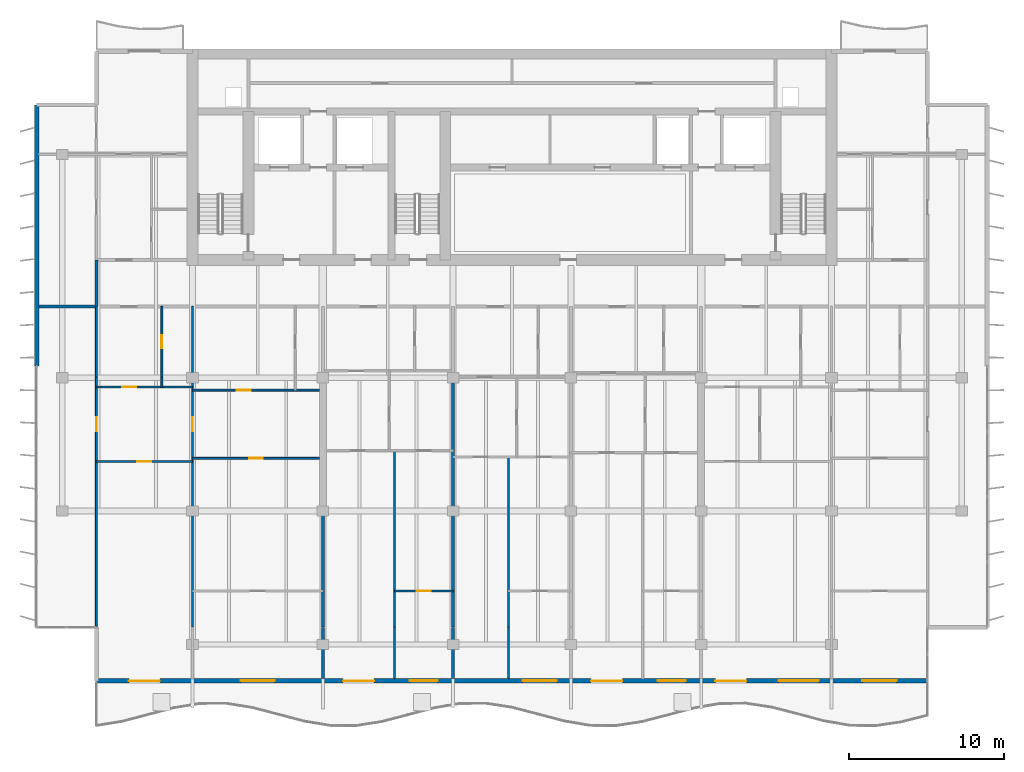
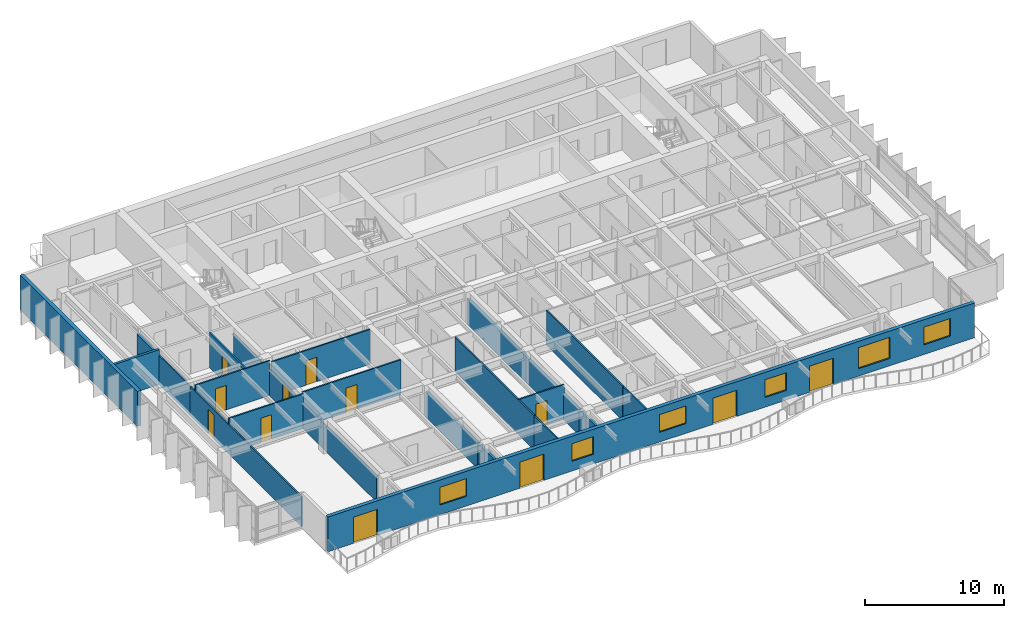
# One storey, part 6 of 17: 23 walls, 12 doors, 6 windows, 18 openings.
"""IFC4 building model written with IfcOpenShell, lengths in metres."""

import ifcopenshell
import ifcopenshell.guid

model = None  # the IFC model being written
_history = None  # IfcOwnerHistory: only IFC2X3 demands one
_inside = {}  # id of a spatial element -> (the spatial element, [elements in it])
_under = {}  # id of a project, library or spatial element -> (it, [spatial elements below it])
_declared = {}  # id of a project -> (the project, [libraries it declares])
_typed = {}  # id of a type object -> (the type object, [elements of that type])
_made_of = {}  # id of a material, layer set ... -> (it, [elements and type objects made of it])


def new_model(schema):
    """Start an empty IFC model of exactly this schema.

    Asked for "IFC4X3", IfcOpenShell would pick the latest addendum, in which some entities
    have other attributes; the version numbers below select the first issue.
    IFC2X3 requires an IfcOwnerHistory on every rooted entity: one is made here for all.
    """
    global model, _history
    if schema == "IFC4X3":
        model = ifcopenshell.file(schema_version=(4, 3, 0, 0))
    else:
        model = ifcopenshell.file(schema=schema)
    _inside.clear()
    _under.clear()
    _declared.clear()
    _typed.clear()
    _made_of.clear()
    _history = None
    if model.schema == "IFC2X3":
        org = make("IfcOrganization", Name="unknown")
        user = make(
            "IfcPersonAndOrganization",
            ThePerson=make("IfcPerson", FamilyName="unknown"),
            TheOrganization=org,
        )
        app = make(
            "IfcApplication",
            ApplicationDeveloper=org,
            Version="unknown",
            ApplicationFullName="unknown",
            ApplicationIdentifier="unknown",
        )
        _history = make(
            "IfcOwnerHistory",
            OwningUser=user,
            OwningApplication=app,
            ChangeAction="ADDED",
            CreationDate=0,
        )
    return model


def make(cls, **values):
    """One entity of the class cls with the attributes given. An attribute that is None is left unset."""
    return model.create_entity(
        cls, **{name: value for name, value in values.items() if value is not None}
    )


def rooted(cls, **values):
    """An entity with a GlobalId (a new one), such as an element, a storey or a relation."""
    return make(cls, GlobalId=ifcopenshell.guid.new(), OwnerHistory=_history, **values)


def si_unit(unit_type, name, prefix=None):
    """IfcSIUnit, for example si_unit("LENGTHUNIT", "METRE", prefix="MILLI")."""
    return make("IfcSIUnit", UnitType=unit_type, Prefix=prefix, Name=name)


def assignment(units):
    """IfcUnitAssignment: the units of a project."""
    return None if units is None else make("IfcUnitAssignment", Units=units)


def point(xyz):
    """IfcCartesianPoint."""
    return None if xyz is None else make("IfcCartesianPoint", Coordinates=xyz)


def direction(xyz):
    """IfcDirection."""
    return None if xyz is None else make("IfcDirection", DirectionRatios=xyz)


def frame(location, z_axis=None, x_axis=None):
    """IfcAxis2Placement3D, a coordinate frame: its origin and axes. An axis left out is left unset."""
    return make(
        "IfcAxis2Placement3D",
        Location=point(location),
        Axis=direction(z_axis),
        RefDirection=direction(x_axis),
    )


def frame_2d(location, x_axis=None):
    """IfcAxis2Placement2D, a coordinate frame in the plane: its origin and x axis."""
    return make(
        "IfcAxis2Placement2D", Location=point(location), RefDirection=direction(x_axis)
    )


def origin():
    """The frame at (0, 0, 0) with its axes left unset."""
    return frame((0.0, 0.0, 0.0))


def place(relative_to, where):
    """IfcLocalPlacement: puts the frame where relative to a parent placement (None: the world)."""
    return make(
        "IfcLocalPlacement", PlacementRelTo=relative_to, RelativePlacement=where
    )


def context(
    kind, dimensions, precision=None, world=None, true_north=None, identifier=None
):
    """IfcGeometricRepresentationContext, for example the 3D "Model" context."""
    return make(
        "IfcGeometricRepresentationContext",
        ContextIdentifier=identifier,
        ContextType=kind,
        CoordinateSpaceDimension=dimensions,
        Precision=precision,
        WorldCoordinateSystem=world,
        TrueNorth=true_north,
    )


def subcontext(parent, identifier, kind, view, scale=None):
    """IfcGeometricRepresentationSubContext, for example "Body" below "Model"."""
    return make(
        "IfcGeometricRepresentationSubContext",
        ContextIdentifier=identifier,
        ContextType=kind,
        ParentContext=parent,
        TargetScale=scale,
        TargetView=view,
    )


def project(units=None, contexts=None):
    """IfcProject with its units and contexts."""
    return rooted(
        "IfcProject",
        Name="project",
        RepresentationContexts=contexts,
        UnitsInContext=assignment(units),
    )


def spatial(cls, under=None, at=None, **own):
    """A site, building, storey or space (cls), placed at a placement, below another one or the project."""
    s = rooted(cls, ObjectPlacement=at, **own)
    if under is not None:
        _under.setdefault(under.id(), (under, []))[1].append(s)
    return s


def profile(cls, at=None, kind="AREA", **sizes):
    """A parametric profile (cls). Its sizes go by their IFC names, for example OverallWidth=200.0."""
    return make(cls, ProfileType=kind, Position=at, **sizes)


def rectangle(**sizes):
    """IfcRectangleProfileDef."""
    return profile("IfcRectangleProfileDef", **sizes)


def extrude(swept, where, along, depth):
    """IfcExtrudedAreaSolid: the profile swept, set in the frame where, extruded along a direction by depth."""
    return make(
        "IfcExtrudedAreaSolid",
        SweptArea=swept,
        Position=where,
        ExtrudedDirection=direction(along),
        Depth=depth,
    )


def shape(context_of_items, identifier, shape_type, items):
    """IfcShapeRepresentation: the items that make up one representation, for example the "Body"."""
    return make(
        "IfcShapeRepresentation",
        ContextOfItems=context_of_items,
        RepresentationIdentifier=identifier,
        RepresentationType=shape_type,
        Items=items,
    )


def material(Name=None, Category=None):
    """IfcMaterial."""
    return make("IfcMaterial", Name=Name, Category=Category)


def layer(
    of_material, thickness, ventilated=None, Name=None, Category=None, Priority=None
):
    """IfcMaterialLayer: one layer of a wall or slab, of a material (None: an air gap)."""
    return make(
        "IfcMaterialLayer",
        Material=of_material,
        LayerThickness=thickness,
        IsVentilated=ventilated,
        Name=Name,
        Category=Category,
        Priority=Priority,
    )


def layer_set(layers, Name=None):
    """IfcMaterialLayerSet."""
    return make("IfcMaterialLayerSet", MaterialLayers=layers, LayerSetName=Name)


def made_of(thing, what):
    """Note that an element or type object is made of a material, layer set ...; save() writes the relation."""
    if what is not None:
        _made_of.setdefault(what.id(), (what, []))[1].append(thing)
    return thing


def type_object(cls, material=None, **own):
    """A type object (cls), such as IfcWallType, which elements share."""
    return made_of(rooted(cls, **own), material)


def element(
    cls,
    number,
    at=None,
    inside=None,
    cuts=None,
    type_object=None,
    material=None,
    context=None,
    identifier="Body",
    shape_type=None,
    held_by="IfcProductDefinitionShape",
    body=None,
    shapes=None,
    **own,
):
    """One element of the class cls, such as IfcWall. Its Tag is "e" and its number.

    at: its placement. inside: the storey or other place that contains it. cuts: it is an
    opening in that element (IfcRelVoidsElement). A single representation is given by context,
    identifier, shape_type and body (its items); several are given by shapes. held_by: the class
    of the entity that holds the representations. save() writes the other relations.
    """
    e = rooted(cls, Tag="e%d" % number, ObjectPlacement=at, **own)
    if body is not None:
        shapes = [shape(context, identifier, shape_type, body)]
    if shapes is not None:
        e.Representation = make(held_by, Representations=shapes)
    if inside is not None:
        _inside.setdefault(inside.id(), (inside, []))[1].append(e)
    if cuts is not None:
        rooted(
            "IfcRelVoidsElement", RelatingBuildingElement=cuts, RelatedOpeningElement=e
        )
    if type_object is not None:
        _typed.setdefault(type_object.id(), (type_object, []))[1].append(e)
    return made_of(e, material)


def fill(opening, filler):
    """IfcRelFillsElement: the door or window that sits in an opening."""
    return rooted(
        "IfcRelFillsElement",
        RelatingOpeningElement=opening,
        RelatedBuildingElement=filler,
    )


def aggregate(whole, parts):
    """IfcRelAggregates: a whole, such as a stair, and the parts it consists of."""
    return rooted("IfcRelAggregates", RelatingObject=whole, RelatedObjects=parts)


def save(model, path):
    """Write the relations noted so far, then the file.

    IfcRelAggregates (storeys below a building ...), IfcRelContainedInSpatialStructure (elements
    in a storey), IfcRelDefinesByType, IfcRelAssociatesMaterial and IfcRelDeclares: one each for
    every whole, place, type object, material and project.
    """
    for whole, parts in _under.values():
        aggregate(whole, parts)
    for where, things in _inside.values():
        rooted(
            "IfcRelContainedInSpatialStructure",
            RelatedElements=things,
            RelatingStructure=where,
        )
    for kind, things in _typed.values():
        rooted("IfcRelDefinesByType", RelatedObjects=things, RelatingType=kind)
    for what, things in _made_of.values():
        rooted("IfcRelAssociatesMaterial", RelatedObjects=things, RelatingMaterial=what)
    for by, libraries in _declared.values():
        rooted("IfcRelDeclares", RelatingContext=by, RelatedDefinitions=libraries)
    model.write(path)


model = new_model("IFC4")

# Units and contexts
model_context = context("Model", 3, precision=1e-05, world=origin(), true_north=direction((0.0, 1.0)))
body_context = subcontext(model_context, "Body", "Model", "MODEL_VIEW")
ifc_project = project(units=[si_unit("LENGTHUNIT", "METRE"), si_unit("AREAUNIT", "SQUARE_METRE"), si_unit("VOLUMEUNIT", "CUBIC_METRE"), si_unit("PLANEANGLEUNIT", "RADIAN"), si_unit("MASSUNIT", "GRAM", prefix="KILO")], contexts=[model_context])

# Site, building, storey
site_placement = place(None, origin())
site = spatial("IfcSite", under=ifc_project, at=site_placement, CompositionType="ELEMENT")
building_placement = place(site_placement, origin())
building = spatial("IfcBuilding", under=site, at=building_placement, Name="Caelmar Bay Residences", CompositionType="ELEMENT")
storey_placement = place(building_placement, frame((0.0, 0.0, 236.39990234375)))
storey = spatial("IfcBuildingStorey", under=building, at=storey_placement, Name="L66", CompositionType="ELEMENT", Elevation=236.39990234375)

# Wall
ifc_material_1 = material(Name="Double-stud acoustic fire-rated gypsum partition 180 mm")
ifc_layer_1 = layer(ifc_material_1, 0.179931640625)
ifc_layer_set_1 = layer_set([ifc_layer_1], Name="Double-stud acoustic fire-rated gypsum partition 180 mm")
wall_type_1 = type_object("IfcWallType", Name="W-COR-200", PredefinedType="PARTITIONING", material=ifc_layer_set_1)
wall_1_placement = place(storey_placement, frame((12.10009765625, 34.0048828125, 0.0), z_axis=(0.0, 0.0, 1.0), x_axis=(0.0, 1.0, 0.0)))
element("IfcWall", 1, at=wall_1_placement, inside=storey, type_object=wall_type_1, Name="L66 Partition Wall V003", PredefinedType="PARTITIONING", context=body_context, shape_type="SweptSolid", body=[
    extrude(rectangle(XDim=2.9951171875, YDim=0.179931640625, at=frame_2d((1.49755859375, 0.0))), origin(), (0.0, 0.0, 1.0), 2.578125),
])

# Wall, openings, doors, windows
ifc_material_2 = material(Name="Precast concrete f'c 40 MPa (6,000 psi)", Category="concrete")
ifc_layer_2 = layer(ifc_material_2, 0.300048828125)
ifc_layer_set_2 = layer_set([ifc_layer_2], Name="Precast concrete f'c 40 MPa (6,000 psi)")
wall_type_2 = type_object("IfcWallType", Name="W-EXT-300", PredefinedType="STANDARD", material=ifc_layer_set_2)
wall_2_placement = place(storey_placement, frame((65.699951171875, 9.85009765625, 0.0), z_axis=(0.0, 0.0, 1.0), x_axis=(-1.0, 0.0, 0.0)))
wall_2 = element("IfcWall", 2, at=wall_2_placement, inside=storey, type_object=wall_type_2, Name="L66 South Bayfront Exterior Wall", PredefinedType="STANDARD", context=body_context, shape_type="SweptSolid", body=[
    extrude(rectangle(XDim=53.599853515625, YDim=0.300048828125, at=frame_2d((26.7998046875, 0.0))), origin(), (0.0, 0.0, 1.0), 3.050048828125),
])
opening_1_placement = place(wall_2_placement, frame((49.5, 0.0, 0.0)))
opening_1 = element("IfcOpeningElement", 3, at=opening_1_placement, cuts=wall_2, Name="Opening L66-BD01", PredefinedType="OPENING", context=body_context, shape_type="SweptSolid", body=[
    extrude(rectangle(XDim=2.0, YDim=2.300048828125, at=frame_2d((1.0, 1.14990234375))), frame((0.0, 0.159912109375, 0.0), z_axis=(0.0, -1.0, 0.0), x_axis=(1.0, 0.0, 0.0)), (0.0, 0.0, 1.0), 0.320068359375),
])
opening_2_placement = place(wall_2_placement, frame((42.10009765625, 0.0, 0.85009765625)))
opening_2 = element("IfcOpeningElement", 4, at=opening_2_placement, cuts=wall_2, Name="Opening WN2", PredefinedType="OPENING", context=body_context, shape_type="SweptSolid", body=[
    extrude(rectangle(XDim=2.199951171875, YDim=1.550048828125, at=frame_2d((1.10009765625, 0.77490234375))), frame((0.0, 0.159912109375, 0.0), z_axis=(0.0, -1.0, 0.0), x_axis=(1.0, 0.0, 0.0)), (0.0, 0.0, 1.0), 0.320068359375),
])
opening_3_placement = place(wall_2_placement, frame((35.68994140625, 0.0, 0.0)))
opening_3 = element("IfcOpeningElement", 5, at=opening_3_placement, cuts=wall_2, Name="Opening L66-BD02", PredefinedType="OPENING", context=body_context, shape_type="SweptSolid", body=[
    extrude(rectangle(XDim=2.0, YDim=2.300048828125, at=frame_2d((1.0, 1.14990234375))), frame((0.0, 0.159912109375, 0.0), z_axis=(0.0, -1.0, 0.0), x_axis=(1.0, 0.0, 0.0)), (0.0, 0.0, 1.0), 0.320068359375),
])
opening_4_placement = place(wall_2_placement, frame((31.590087890625, 0.0, 0.85009765625)))
opening_4 = element("IfcOpeningElement", 6, at=opening_4_placement, cuts=wall_2, Name="Opening WN1", PredefinedType="OPENING", context=body_context, shape_type="SweptSolid", body=[
    extrude(rectangle(XDim=1.800048828125, YDim=1.550048828125, at=frame_2d((0.89990234375, 0.77490234375))), frame((0.0, 0.159912109375, 0.0), z_axis=(0.0, -1.0, 0.0), x_axis=(1.0, 0.0, 0.0)), (0.0, 0.0, 1.0), 0.320068359375),
])
opening_5_placement = place(wall_2_placement, frame((23.9140625, 0.0, 0.85009765625)))
opening_5 = element("IfcOpeningElement", 7, at=opening_5_placement, cuts=wall_2, Name="Opening WN2", PredefinedType="OPENING", context=body_context, shape_type="SweptSolid", body=[
    extrude(rectangle(XDim=2.199951171875, YDim=1.550048828125, at=frame_2d((1.10009765625, 0.77490234375))), frame((0.0, 0.159912109375, 0.0), z_axis=(0.0, -1.0, 0.0), x_axis=(1.0, 0.0, 0.0)), (0.0, 0.0, 1.0), 0.320068359375),
])
opening_6_placement = place(wall_2_placement, frame((19.68994140625, 0.0, 0.0)))
opening_6 = element("IfcOpeningElement", 8, at=opening_6_placement, cuts=wall_2, Name="Opening L66-BD03", PredefinedType="OPENING", context=body_context, shape_type="SweptSolid", body=[
    extrude(rectangle(XDim=2.0, YDim=2.300048828125, at=frame_2d((1.0, 1.14990234375))), frame((0.0, 0.159912109375, 0.0), z_axis=(0.0, -1.0, 0.0), x_axis=(1.0, 0.0, 0.0)), (0.0, 0.0, 1.0), 0.320068359375),
])
opening_7_placement = place(wall_2_placement, frame((15.590087890625, 0.0, 0.85009765625)))
opening_7 = element("IfcOpeningElement", 9, at=opening_7_placement, cuts=wall_2, Name="Opening WN1", PredefinedType="OPENING", context=body_context, shape_type="SweptSolid", body=[
    extrude(rectangle(XDim=1.800048828125, YDim=1.550048828125, at=frame_2d((0.89990234375, 0.77490234375))), frame((0.0, 0.159912109375, 0.0), z_axis=(0.0, -1.0, 0.0), x_axis=(1.0, 0.0, 0.0)), (0.0, 0.0, 1.0), 0.320068359375),
])
opening_8_placement = place(wall_2_placement, frame((11.68994140625, 0.0, 0.0)))
opening_8 = element("IfcOpeningElement", 10, at=opening_8_placement, cuts=wall_2, Name="Opening L66-BD04", PredefinedType="OPENING", context=body_context, shape_type="SweptSolid", body=[
    extrude(rectangle(XDim=2.0, YDim=2.300048828125, at=frame_2d((1.0, 1.14990234375))), frame((0.0, 0.159912109375, 0.0), z_axis=(0.0, -1.0, 0.0), x_axis=(1.0, 0.0, 0.0)), (0.0, 0.0, 1.0), 0.320068359375),
])
opening_9_placement = place(wall_2_placement, frame((7.010009765625, 0.0, 0.64990234375)))
opening_9 = element("IfcOpeningElement", 11, at=opening_9_placement, cuts=wall_2, Name="Opening WN3", PredefinedType="OPENING", context=body_context, shape_type="SweptSolid", body=[
    extrude(rectangle(XDim=2.60009765625, YDim=1.85009765625, at=frame_2d((1.300048828125, 0.925048828125))), frame((0.0, 0.159912109375, 0.0), z_axis=(0.0, -1.0, 0.0), x_axis=(1.0, 0.0, 0.0)), (0.0, 0.0, 1.0), 0.320068359375),
])
opening_10_placement = place(wall_2_placement, frame((2.0, 0.0, 0.85009765625)))
opening_10 = element("IfcOpeningElement", 12, at=opening_10_placement, cuts=wall_2, Name="Opening WN2", PredefinedType="OPENING", context=body_context, shape_type="SweptSolid", body=[
    extrude(rectangle(XDim=2.199951171875, YDim=1.550048828125, at=frame_2d((1.10009765625, 0.77490234375))), frame((0.0, 0.159912109375, 0.0), z_axis=(0.0, -1.0, 0.0), x_axis=(1.0, 0.0, 0.0)), (0.0, 0.0, 1.0), 0.320068359375),
])
ifc_material_3 = material(Name="Anodised bronze thermally broken sliding glass door", Category="glass")
ifc_layer_3 = layer(ifc_material_3, 0.050048828125)
ifc_layer_set_3 = layer_set([ifc_layer_3], Name="Anodised bronze thermally broken sliding glass door")
door_type_1 = type_object("IfcDoorType", Name="D-BAL-2000", OperationType="DOUBLE_DOOR_SLIDING", PredefinedType="DOOR", material=ifc_layer_set_3)
door_1_placement = place(opening_1_placement, origin())
door_1 = element("IfcDoor", 13, at=door_1_placement, inside=storey, type_object=door_type_1, Name="L66 Residence 01 Penthouse Living Salon Balcony Door", OperationType="DOUBLE_DOOR_SLIDING", OverallHeight=2.300048828125, OverallWidth=2.0, PredefinedType="DOOR", context=body_context, shape_type="SweptSolid", body=[
    extrude(rectangle(XDim=2.0, YDim=2.300048828125, at=frame_2d((1.0, 1.14990234375))), frame((0.0, 0.02490234375, 0.0), z_axis=(0.0, -1.0, 0.0), x_axis=(1.0, 0.0, 0.0)), (0.0, 0.0, 1.0), 0.050048828125),
])
fill(opening_1, door_1)
door_2_placement = place(opening_3_placement, origin())
door_2 = element("IfcDoor", 14, at=door_2_placement, inside=storey, type_object=door_type_1, Name="L66 Residence 02 Living Room Balcony Door", OperationType="DOUBLE_DOOR_SLIDING", OverallHeight=2.300048828125, OverallWidth=2.0, PredefinedType="DOOR", context=body_context, shape_type="SweptSolid", body=[
    extrude(rectangle(XDim=2.0, YDim=2.300048828125, at=frame_2d((1.0, 1.14990234375))), frame((0.0, 0.02490234375, 0.0), z_axis=(0.0, -1.0, 0.0), x_axis=(1.0, 0.0, 0.0)), (0.0, 0.0, 1.0), 0.050048828125),
])
fill(opening_3, door_2)
door_3_placement = place(opening_6_placement, origin())
door_3 = element("IfcDoor", 15, at=door_3_placement, inside=storey, type_object=door_type_1, Name="L66 Residence 04 Living Room Balcony Door", OperationType="DOUBLE_DOOR_SLIDING", OverallHeight=2.300048828125, OverallWidth=2.0, PredefinedType="DOOR", context=body_context, shape_type="SweptSolid", body=[
    extrude(rectangle(XDim=2.0, YDim=2.300048828125, at=frame_2d((1.0, 1.14990234375))), frame((0.0, 0.02490234375, 0.0), z_axis=(0.0, -1.0, 0.0), x_axis=(1.0, 0.0, 0.0)), (0.0, 0.0, 1.0), 0.050048828125),
])
fill(opening_6, door_3)
door_4_placement = place(opening_8_placement, origin())
door_4 = element("IfcDoor", 16, at=door_4_placement, inside=storey, type_object=door_type_1, Name="L66 Residence 05 Penthouse Living Salon Balcony Door", OperationType="DOUBLE_DOOR_SLIDING", OverallHeight=2.300048828125, OverallWidth=2.0, PredefinedType="DOOR", context=body_context, shape_type="SweptSolid", body=[
    extrude(rectangle(XDim=2.0, YDim=2.300048828125, at=frame_2d((1.0, 1.14990234375))), frame((0.0, 0.02490234375, 0.0), z_axis=(0.0, -1.0, 0.0), x_axis=(1.0, 0.0, 0.0)), (0.0, 0.0, 1.0), 0.050048828125),
])
fill(opening_8, door_4)
ifc_material_4 = material(Name="Bronze aluminium frame with laminated low-E glass", Category="aluminium")
ifc_layer_4 = layer(ifc_material_4, 0.06005859375)
ifc_layer_set_4 = layer_set([ifc_layer_4], Name="Bronze aluminium frame with laminated low-E glass")
window_type_1 = type_object("IfcWindowType", Name="WIN-BR-1800", PartitioningType="SINGLE_PANEL", PredefinedType="WINDOW", material=ifc_layer_set_4)
window_1_placement = place(opening_4_placement, origin())
window_1 = element("IfcWindow", 17, at=window_1_placement, inside=storey, type_object=window_type_1, Name="L66 Residence 02 Primary Bedroom Window", OverallHeight=1.550048828125, OverallWidth=1.800048828125, PartitioningType="SINGLE_PANEL", PredefinedType="WINDOW", context=body_context, shape_type="SweptSolid", body=[
    extrude(rectangle(XDim=1.800048828125, YDim=1.550048828125, at=frame_2d((0.89990234375, 0.77490234375))), frame((0.0, 0.030029296875, 0.0), z_axis=(0.0, -1.0, 0.0), x_axis=(1.0, 0.0, 0.0)), (0.0, 0.0, 1.0), 0.06005859375),
])
fill(opening_4, window_1)
window_2_placement = place(opening_7_placement, origin())
window_2 = element("IfcWindow", 18, at=window_2_placement, inside=storey, type_object=window_type_1, Name="L66 Residence 04 Primary Bedroom Window", OverallHeight=1.550048828125, OverallWidth=1.800048828125, PartitioningType="SINGLE_PANEL", PredefinedType="WINDOW", context=body_context, shape_type="SweptSolid", body=[
    extrude(rectangle(XDim=1.800048828125, YDim=1.550048828125, at=frame_2d((0.89990234375, 0.77490234375))), frame((0.0, 0.030029296875, 0.0), z_axis=(0.0, -1.0, 0.0), x_axis=(1.0, 0.0, 0.0)), (0.0, 0.0, 1.0), 0.06005859375),
])
fill(opening_7, window_2)
ifc_layer_5 = layer(ifc_material_4, 0.06005859375)
ifc_layer_set_5 = layer_set([ifc_layer_5], Name="Bronze aluminium frame with laminated low-E glass")
window_type_2 = type_object("IfcWindowType", Name="WIN-BR-2200", PartitioningType="SINGLE_PANEL", PredefinedType="WINDOW", material=ifc_layer_set_5)
window_3_placement = place(opening_2_placement, origin())
window_3 = element("IfcWindow", 19, at=window_3_placement, inside=storey, type_object=window_type_2, Name="L66 Residence 01 Primary Bedroom 1 Window", OverallHeight=1.550048828125, OverallWidth=2.199951171875, PartitioningType="SINGLE_PANEL", PredefinedType="WINDOW", context=body_context, shape_type="SweptSolid", body=[
    extrude(rectangle(XDim=2.199951171875, YDim=1.550048828125, at=frame_2d((1.10009765625, 0.77490234375))), frame((0.0, 0.030029296875, 0.0), z_axis=(0.0, -1.0, 0.0), x_axis=(1.0, 0.0, 0.0)), (0.0, 0.0, 1.0), 0.06005859375),
])
fill(opening_2, window_3)
window_4_placement = place(opening_5_placement, origin())
window_4 = element("IfcWindow", 20, at=window_4_placement, inside=storey, type_object=window_type_2, Name="L66 Residence 03 Primary Bedroom Window", OverallHeight=1.550048828125, OverallWidth=2.199951171875, PartitioningType="SINGLE_PANEL", PredefinedType="WINDOW", context=body_context, shape_type="SweptSolid", body=[
    extrude(rectangle(XDim=2.199951171875, YDim=1.550048828125, at=frame_2d((1.10009765625, 0.77490234375))), frame((0.0, 0.030029296875, 0.0), z_axis=(0.0, -1.0, 0.0), x_axis=(1.0, 0.0, 0.0)), (0.0, 0.0, 1.0), 0.06005859375),
])
fill(opening_5, window_4)
window_5_placement = place(opening_10_placement, origin())
window_5 = element("IfcWindow", 21, at=window_5_placement, inside=storey, type_object=window_type_2, Name="L66 Residence 05 Primary Bedroom 1 Window", OverallHeight=1.550048828125, OverallWidth=2.199951171875, PartitioningType="SINGLE_PANEL", PredefinedType="WINDOW", context=body_context, shape_type="SweptSolid", body=[
    extrude(rectangle(XDim=2.199951171875, YDim=1.550048828125, at=frame_2d((1.10009765625, 0.77490234375))), frame((0.0, 0.030029296875, 0.0), z_axis=(0.0, -1.0, 0.0), x_axis=(1.0, 0.0, 0.0)), (0.0, 0.0, 1.0), 0.06005859375),
])
fill(opening_10, window_5)
ifc_layer_6 = layer(ifc_material_4, 0.06005859375)
ifc_layer_set_6 = layer_set([ifc_layer_6], Name="Bronze aluminium frame with laminated low-E glass")
window_type_3 = type_object("IfcWindowType", Name="WIN-LIV-2600", PartitioningType="SINGLE_PANEL", PredefinedType="WINDOW", material=ifc_layer_set_6)
window_6_placement = place(opening_9_placement, origin())
window_6 = element("IfcWindow", 22, at=window_6_placement, inside=storey, type_object=window_type_3, Name="L66 Residence 05 Penthouse Living Salon Panoramic Window", OverallHeight=1.85009765625, OverallWidth=2.60009765625, PartitioningType="SINGLE_PANEL", PredefinedType="WINDOW", context=body_context, shape_type="SweptSolid", body=[
    extrude(rectangle(XDim=2.60009765625, YDim=1.85009765625, at=frame_2d((1.300048828125, 0.925048828125))), frame((0.0, 0.030029296875, 0.0), z_axis=(0.0, -1.0, 0.0), x_axis=(1.0, 0.0, 0.0)), (0.0, 0.0, 1.0), 0.06005859375),
])
fill(opening_9, window_6)

# Wall
wall_3_placement = place(storey_placement, frame((8.25, 30.14990234375, 0.0), z_axis=(0.0, 0.0, 1.0), x_axis=(0.0, 1.0, 0.0)))
element("IfcWall", 23, at=wall_3_placement, inside=storey, type_object=wall_type_2, Name="L66 West Rear Exterior Wall", PredefinedType="STANDARD", context=body_context, shape_type="SweptSolid", body=[
    extrude(rectangle(XDim=16.85009765625, YDim=0.300048828125, at=frame_2d((8.425048828125, 0.0))), origin(), (0.0, 0.0, 1.0), 3.050048828125),
])

# Wall, opening, door
ifc_material_5 = material(Name="Acoustic metal-stud gypsum partition 120 mm")
ifc_layer_7 = layer(ifc_material_5, 0.1201171875)
ifc_layer_set_7 = layer_set([ifc_layer_7], Name="Acoustic metal-stud gypsum partition 120 mm")
wall_type_3 = type_object("IfcWallType", Name="W-PRT-120", PredefinedType="PARTITIONING", material=ifc_layer_set_7)
wall_4_placement = place(storey_placement, frame((12.10009765625, 13.385009765625, 0.0), z_axis=(0.0, 0.0, 1.0), x_axis=(0.0, 1.0, 0.0)))
wall_4 = element("IfcWall", 24, at=wall_4_placement, inside=storey, type_object=wall_type_3, Name="L66 Partition Wall V001", PredefinedType="PARTITIONING", context=body_context, shape_type="SweptSolid", body=[
    extrude(rectangle(XDim=16.014892578125, YDim=0.1201171875, at=frame_2d((8.00732421875, 0.0))), origin(), (0.0, 0.0, 1.0), 2.578125),
])
opening_11_placement = place(wall_4_placement, frame((12.56494140625, 0.0, 0.0)))
opening_11 = element("IfcOpeningElement", 25, at=opening_11_placement, cuts=wall_4, Name="Opening D-L66-160", PredefinedType="OPENING", context=body_context, shape_type="SweptSolid", body=[
    extrude(rectangle(XDim=0.89990234375, YDim=2.14990234375, at=frame_2d((0.449951171875, 1.074951171875))), frame((0.0, 0.070068359375, 0.0), z_axis=(0.0, -1.0, 0.0), x_axis=(1.0, 0.0, 0.0)), (0.0, 0.0, 1.0), 0.14013671875),
])
ifc_material_6 = material(Name="Solid walnut timber interior door leaf and frame", Category="wood")
ifc_layer_8 = layer(ifc_material_6, 0.050048828125)
ifc_layer_set_8 = layer_set([ifc_layer_8], Name="Solid walnut timber interior door leaf and frame")
door_type_2 = type_object("IfcDoorType", Name="D-ROOM-900", OperationType="NOTDEFINED", PredefinedType="DOOR", material=ifc_layer_set_8)
door_5_placement = place(opening_11_placement, origin())
door_5 = element("IfcDoor", 26, at=door_5_placement, inside=storey, type_object=door_type_2, Name="L66 Residence 01 Penthouse West Salon Door", OperationType="SINGLE_SWING_RIGHT", OverallHeight=2.14990234375, OverallWidth=0.89990234375, PredefinedType="DOOR", context=body_context, shape_type="SweptSolid", body=[
    extrude(rectangle(XDim=0.89990234375, YDim=2.14990234375, at=frame_2d((0.449951171875, 1.074951171875))), frame((0.0, 0.02490234375, 0.0), z_axis=(0.0, -1.0, 0.0), x_axis=(1.0, 0.0, 0.0)), (0.0, 0.0, 1.0), 0.050048828125),
])
fill(opening_11, door_5)

# Walls
wall_5_placement = place(storey_placement, frame((12.10009765625, 29.43994140625, 0.0), z_axis=(0.0, 0.0, 1.0), x_axis=(0.0, 1.0, 0.0)))
element("IfcWall", 27, at=wall_5_placement, inside=storey, type_object=wall_type_3, Name="L66 Partition Wall V002", PredefinedType="PARTITIONING", context=body_context, shape_type="SweptSolid", body=[
    extrude(rectangle(XDim=4.56005859375, YDim=0.1201171875, at=frame_2d((2.280029296875, 0.0))), origin(), (0.0, 0.0, 1.0), 2.578125),
])
wall_6_placement = place(storey_placement, frame((16.319091796875, 28.800048828125, 0.0), z_axis=(0.0, 0.0, 1.0), x_axis=(0.0, 1.0, 0.0)))
element("IfcWall", 28, at=wall_6_placement, inside=storey, type_object=wall_type_3, Name="L66 Partition Wall V006", PredefinedType="PARTITIONING", context=body_context, shape_type="SweptSolid", body=[
    extrude(rectangle(XDim=0.599853515625, YDim=0.1201171875, at=frame_2d((0.2998046875, 0.0))), origin(), (0.0, 0.0, 1.0), 3.050048828125),
])

# Wall, opening, door
wall_7_placement = place(storey_placement, frame((16.319091796875, 29.43994140625, 0.0), z_axis=(0.0, 0.0, 1.0), x_axis=(0.0, 1.0, 0.0)))
wall_7 = element("IfcWall", 29, at=wall_7_placement, inside=storey, type_object=wall_type_3, Name="L66 Partition Wall V007", PredefinedType="PARTITIONING", context=body_context, shape_type="SweptSolid", body=[
    extrude(rectangle(XDim=4.56005859375, YDim=0.1201171875, at=frame_2d((2.280029296875, 0.0))), origin(), (0.0, 0.0, 1.0), 3.050048828125),
])
opening_12_placement = place(wall_7_placement, frame((1.85498046875, 0.0, 0.0)))
opening_12 = element("IfcOpeningElement", 30, at=opening_12_placement, cuts=wall_7, Name="Opening D-L66-121", PredefinedType="OPENING", context=body_context, shape_type="SweptSolid", body=[
    extrude(rectangle(XDim=0.85009765625, YDim=2.10009765625, at=frame_2d((0.425048828125, 1.050048828125))), frame((0.0, 0.070068359375, 0.0), z_axis=(0.0, -1.0, 0.0), x_axis=(1.0, 0.0, 0.0)), (0.0, 0.0, 1.0), 0.14013671875),
])
ifc_layer_9 = layer(ifc_material_6, 0.050048828125)
ifc_layer_set_9 = layer_set([ifc_layer_9], Name="Solid walnut timber interior door leaf and frame")
door_type_3 = type_object("IfcDoorType", Name="D-BATH-850", OperationType="NOTDEFINED", PredefinedType="DOOR", material=ifc_layer_set_9)
door_6_placement = place(opening_12_placement, origin())
door_6 = element("IfcDoor", 31, at=door_6_placement, inside=storey, type_object=door_type_3, Name="L66 Residence 01 Guest Bathroom Door", OperationType="SINGLE_SWING_LEFT", OverallHeight=2.10009765625, OverallWidth=0.85009765625, PredefinedType="DOOR", context=body_context, shape_type="SweptSolid", body=[
    extrude(rectangle(XDim=0.85009765625, YDim=2.10009765625, at=frame_2d((0.425048828125, 1.050048828125))), frame((0.0, 0.02490234375, 0.0), z_axis=(0.0, -1.0, 0.0), x_axis=(1.0, 0.0, 0.0)), (0.0, 0.0, 1.0), 0.050048828125),
])
fill(opening_12, door_6)

wall_8_placement = place(storey_placement, frame((18.300048828125, 13.340087890625, 0.0), z_axis=(0.0, 0.0, 1.0), x_axis=(0.0, 1.0, 0.0)))
wall_8 = element("IfcWall", 32, at=wall_8_placement, inside=storey, type_object=wall_type_3, Name="L66 Partition Wall V009", PredefinedType="PARTITIONING", context=body_context, shape_type="SweptSolid", body=[
    extrude(rectangle(XDim=16.059814453125, YDim=0.1201171875, at=frame_2d((8.02978515625, 0.0))), origin(), (0.0, 0.0, 1.0), 2.26318359375),
])
opening_13_placement = place(wall_8_placement, frame((12.610107421875, 0.0, 0.0)))
opening_13 = element("IfcOpeningElement", 33, at=opening_13_placement, cuts=wall_8, Name="Opening D-L66-124", PredefinedType="OPENING", context=body_context, shape_type="SweptSolid", body=[
    extrude(rectangle(XDim=0.89990234375, YDim=2.14990234375, at=frame_2d((0.449951171875, 1.074951171875))), frame((0.0, 0.070068359375, 0.0), z_axis=(0.0, -1.0, 0.0), x_axis=(1.0, 0.0, 0.0)), (0.0, 0.0, 1.0), 0.14013671875),
])
door_7_placement = place(opening_13_placement, origin())
door_7 = element("IfcDoor", 34, at=door_7_placement, inside=storey, type_object=door_type_2, Name="L66 Residence 01 Library Study 1 Door", OperationType="SINGLE_SWING_RIGHT", OverallHeight=2.14990234375, OverallWidth=0.89990234375, PredefinedType="DOOR", context=body_context, shape_type="SweptSolid", body=[
    extrude(rectangle(XDim=0.89990234375, YDim=2.14990234375, at=frame_2d((0.449951171875, 1.074951171875))), frame((0.0, 0.02490234375, 0.0), z_axis=(0.0, -1.0, 0.0), x_axis=(1.0, 0.0, 0.0)), (0.0, 0.0, 1.0), 0.050048828125),
])
fill(opening_13, door_7)

# Walls
wall_9_placement = place(storey_placement, frame((18.300048828125, 29.43994140625, 0.0), z_axis=(0.0, 0.0, 1.0), x_axis=(0.0, 1.0, 0.0)))
element("IfcWall", 35, at=wall_9_placement, inside=storey, type_object=wall_type_3, Name="L66 Partition Wall V010", PredefinedType="PARTITIONING", context=body_context, shape_type="SweptSolid", body=[
    extrude(rectangle(XDim=4.56005859375, YDim=0.1201171875, at=frame_2d((2.280029296875, 0.0))), origin(), (0.0, 0.0, 1.0), 2.26318359375),
])
wall_10_placement = place(storey_placement, frame((31.320068359375, 9.9951171875, 0.0), z_axis=(0.0, 0.0, 1.0), x_axis=(0.0, 1.0, 0.0)))
element("IfcWall", 36, at=wall_10_placement, inside=storey, type_object=wall_type_3, Name="L66 Partition Wall V022", PredefinedType="PARTITIONING", context=body_context, shape_type="SweptSolid", body=[
    extrude(rectangle(XDim=3.304931640625, YDim=0.1201171875, at=frame_2d((1.65234375, 0.0))), origin(), (0.0, 0.0, 1.0), 3.050048828125),
])
wall_11_placement = place(storey_placement, frame((31.320068359375, 13.340087890625, 0.0), z_axis=(0.0, 0.0, 1.0), x_axis=(0.0, 1.0, 0.0)))
element("IfcWall", 37, at=wall_11_placement, inside=storey, type_object=wall_type_3, Name="L66 Partition Wall V023", PredefinedType="PARTITIONING", context=body_context, shape_type="SweptSolid", body=[
    extrude(rectangle(XDim=11.349853515625, YDim=0.1201171875, at=frame_2d((5.6748046875, 0.0))), origin(), (0.0, 0.0, 1.0), 3.050048828125),
])
wall_12_placement = place(storey_placement, frame((38.672119140625, 9.9951171875, 0.0), z_axis=(0.0, 0.0, 1.0), x_axis=(0.0, 1.0, 0.0)))
element("IfcWall", 38, at=wall_12_placement, inside=storey, type_object=wall_type_3, Name="L66 Partition Wall V028", PredefinedType="PARTITIONING", context=body_context, shape_type="SweptSolid", body=[
    extrude(rectangle(XDim=3.304931640625, YDim=0.1201171875, at=frame_2d((1.65234375, 0.0))), origin(), (0.0, 0.0, 1.0), 3.050048828125),
])
wall_13_placement = place(storey_placement, frame((38.672119140625, 13.340087890625, 0.0), z_axis=(0.0, 0.0, 1.0), x_axis=(0.0, 1.0, 0.0)))
element("IfcWall", 39, at=wall_13_placement, inside=storey, type_object=wall_type_3, Name="L66 Partition Wall V029", PredefinedType="PARTITIONING", context=body_context, shape_type="SweptSolid", body=[
    extrude(rectangle(XDim=10.949951171875, YDim=0.1201171875, at=frame_2d((5.47509765625, 0.0))), origin(), (0.0, 0.0, 1.0), 3.050048828125),
])

# Wall, opening, door
wall_14_placement = place(storey_placement, frame((31.320068359375, 15.64990234375, 0.0), z_axis=(0.0, 0.0, 1.0), x_axis=(1.0, 0.0, 0.0)))
wall_14 = element("IfcWall", 40, at=wall_14_placement, inside=storey, type_object=wall_type_3, Name="L66 Partition Wall H064", PredefinedType="PARTITIONING", context=body_context, shape_type="SweptSolid", body=[
    extrude(rectangle(XDim=3.780029296875, YDim=0.1201171875, at=frame_2d((1.89013671875, 0.0))), origin(), (0.0, 0.0, 1.0), 3.050048828125),
])
opening_14_placement = place(wall_14_placement, frame((1.43994140625, 0.0, 0.0)))
opening_14 = element("IfcOpeningElement", 41, at=opening_14_placement, cuts=wall_14, Name="Opening D-L66-135", PredefinedType="OPENING", context=body_context, shape_type="SweptSolid", body=[
    extrude(rectangle(XDim=0.89990234375, YDim=2.14990234375, at=frame_2d((0.449951171875, 1.074951171875))), frame((0.0, 0.070068359375, 0.0), z_axis=(0.0, -1.0, 0.0), x_axis=(1.0, 0.0, 0.0)), (0.0, 0.0, 1.0), 0.14013671875),
])
door_8_placement = place(opening_14_placement, origin())
door_8 = element("IfcDoor", 42, at=door_8_placement, inside=storey, type_object=door_type_2, Name="L66 Residence 02 Primary Bedroom Door", OperationType="SINGLE_SWING_LEFT", OverallHeight=2.14990234375, OverallWidth=0.89990234375, PredefinedType="DOOR", context=body_context, shape_type="SweptSolid", body=[
    extrude(rectangle(XDim=0.89990234375, YDim=2.14990234375, at=frame_2d((0.449951171875, 1.074951171875))), frame((0.0, 0.02490234375, 0.0), z_axis=(0.0, -1.0, 0.0), x_axis=(1.0, 0.0, 0.0)), (0.0, 0.0, 1.0), 0.050048828125),
])
fill(opening_14, door_8)

wall_15_placement = place(storey_placement, frame((12.10009765625, 24.0, 0.0), z_axis=(0.0, 0.0, 1.0), x_axis=(1.0, 0.0, 0.0)))
wall_15 = element("IfcWall", 43, at=wall_15_placement, inside=storey, type_object=wall_type_3, Name="L66 Partition Wall H068", PredefinedType="PARTITIONING", context=body_context, shape_type="SweptSolid", body=[
    extrude(rectangle(XDim=6.199951171875, YDim=0.1201171875, at=frame_2d((3.10009765625, 0.0))), origin(), (0.0, 0.0, 1.0), 3.050048828125),
])
opening_15_placement = place(wall_15_placement, frame((2.64990234375, 0.0, 0.0)))
opening_15 = element("IfcOpeningElement", 44, at=opening_15_placement, cuts=wall_15, Name="Opening D-L66-123", PredefinedType="OPENING", context=body_context, shape_type="SweptSolid", body=[
    extrude(rectangle(XDim=0.89990234375, YDim=2.14990234375, at=frame_2d((0.449951171875, 1.074951171875))), frame((0.0, 0.070068359375, 0.0), z_axis=(0.0, -1.0, 0.0), x_axis=(1.0, 0.0, 0.0)), (0.0, 0.0, 1.0), 0.14013671875),
])
door_9_placement = place(opening_15_placement, origin())
door_9 = element("IfcDoor", 45, at=door_9_placement, inside=storey, type_object=door_type_2, Name="L66 Residence 01 Penthouse Living Salon Door", OperationType="SINGLE_SWING_LEFT", OverallHeight=2.14990234375, OverallWidth=0.89990234375, PredefinedType="DOOR", context=body_context, shape_type="SweptSolid", body=[
    extrude(rectangle(XDim=0.89990234375, YDim=2.14990234375, at=frame_2d((0.449951171875, 1.074951171875))), frame((0.0, 0.02490234375, 0.0), z_axis=(0.0, -1.0, 0.0), x_axis=(1.0, 0.0, 0.0)), (0.0, 0.0, 1.0), 0.050048828125),
])
fill(opening_15, door_9)

wall_16_placement = place(storey_placement, frame((18.304931640625, 24.199951171875, 0.0), z_axis=(0.0, 0.0, 1.0), x_axis=(1.0, 0.0, 0.0)))
wall_16 = element("IfcWall", 46, at=wall_16_placement, inside=storey, type_object=wall_type_3, Name="L66 Partition Wall H070", PredefinedType="PARTITIONING", context=body_context, shape_type="SweptSolid", body=[
    extrude(rectangle(XDim=8.175048828125, YDim=0.1201171875, at=frame_2d((4.08740234375, 0.0))), origin(), (0.0, 0.0, 1.0), 3.050048828125),
])
opening_16_placement = place(wall_16_placement, frame((3.637451171875, 0.0, 0.0)))
opening_16 = element("IfcOpeningElement", 47, at=opening_16_placement, cuts=wall_16, Name="Opening D-L66-127", PredefinedType="OPENING", context=body_context, shape_type="SweptSolid", body=[
    extrude(rectangle(XDim=0.89990234375, YDim=2.14990234375, at=frame_2d((0.449951171875, 1.074951171875))), frame((0.0, 0.070068359375, 0.0), z_axis=(0.0, -1.0, 0.0), x_axis=(1.0, 0.0, 0.0)), (0.0, 0.0, 1.0), 0.14013671875),
])
door_10_placement = place(opening_16_placement, origin())
door_10 = element("IfcDoor", 48, at=door_10_placement, inside=storey, type_object=door_type_2, Name="L66 Residence 01 Penthouse Sitting Salon 1 Door", OperationType="SINGLE_SWING_LEFT", OverallHeight=2.14990234375, OverallWidth=0.89990234375, PredefinedType="DOOR", context=body_context, shape_type="SweptSolid", body=[
    extrude(rectangle(XDim=0.89990234375, YDim=2.14990234375, at=frame_2d((0.449951171875, 1.074951171875))), frame((0.0, 0.02490234375, 0.0), z_axis=(0.0, -1.0, 0.0), x_axis=(1.0, 0.0, 0.0)), (0.0, 0.0, 1.0), 0.050048828125),
])
fill(opening_16, door_10)

wall_17_placement = place(storey_placement, frame((18.300048828125, 28.60009765625, 0.0), z_axis=(0.0, 0.0, 1.0), x_axis=(1.0, 0.0, 0.0)))
wall_17 = element("IfcWall", 49, at=wall_17_placement, inside=storey, type_object=wall_type_3, Name="L66 Partition Wall H075", PredefinedType="PARTITIONING", context=body_context, shape_type="SweptSolid", body=[
    extrude(rectangle(XDim=8.179931640625, YDim=0.1201171875, at=frame_2d((4.08984375, 0.0))), origin(), (0.0, 0.0, 1.0), 3.050048828125),
])
opening_17_placement = place(wall_17_placement, frame((2.861083984375, 0.0, 0.0)))
opening_17 = element("IfcOpeningElement", 50, at=opening_17_placement, cuts=wall_17, Name="Opening D-L66-125", PredefinedType="OPENING", context=body_context, shape_type="SweptSolid", body=[
    extrude(rectangle(XDim=0.89990234375, YDim=2.14990234375, at=frame_2d((0.449951171875, 1.074951171875))), frame((0.0, 0.070068359375, 0.0), z_axis=(0.0, -1.0, 0.0), x_axis=(1.0, 0.0, 0.0)), (0.0, 0.0, 1.0), 0.14013671875),
])
door_11_placement = place(opening_17_placement, origin())
door_11 = element("IfcDoor", 51, at=door_11_placement, inside=storey, type_object=door_type_2, Name="L66 Residence 01 Home Office 1 Door", OperationType="SINGLE_SWING_LEFT", OverallHeight=2.14990234375, OverallWidth=0.89990234375, PredefinedType="DOOR", context=body_context, shape_type="SweptSolid", body=[
    extrude(rectangle(XDim=0.89990234375, YDim=2.14990234375, at=frame_2d((0.449951171875, 1.074951171875))), frame((0.0, 0.02490234375, 0.0), z_axis=(0.0, -1.0, 0.0), x_axis=(1.0, 0.0, 0.0)), (0.0, 0.0, 1.0), 0.050048828125),
])
fill(opening_17, door_11)

wall_18_placement = place(storey_placement, frame((12.10009765625, 28.800048828125, 0.0), z_axis=(0.0, 0.0, 1.0), x_axis=(1.0, 0.0, 0.0)))
wall_18 = element("IfcWall", 52, at=wall_18_placement, inside=storey, type_object=wall_type_3, Name="L66 Partition Wall H077", PredefinedType="PARTITIONING", context=body_context, shape_type="SweptSolid", body=[
    extrude(rectangle(XDim=6.19482421875, YDim=0.1201171875, at=frame_2d((3.097412109375, 0.0))), origin(), (0.0, 0.0, 1.0), 3.050048828125),
])
opening_18_placement = place(wall_18_placement, frame((1.659423828125, 0.0, 0.0)))
opening_18 = element("IfcOpeningElement", 53, at=opening_18_placement, cuts=wall_18, Name="Opening D-L66-122", PredefinedType="OPENING", context=body_context, shape_type="SweptSolid", body=[
    extrude(rectangle(XDim=0.89990234375, YDim=2.14990234375, at=frame_2d((0.449951171875, 1.074951171875))), frame((0.0, 0.070068359375, 0.0), z_axis=(0.0, -1.0, 0.0), x_axis=(1.0, 0.0, 0.0)), (0.0, 0.0, 1.0), 0.14013671875),
])
door_12_placement = place(opening_18_placement, origin())
door_12 = element("IfcDoor", 54, at=door_12_placement, inside=storey, type_object=door_type_2, Name="L66 Residence 01 Kitchen Door", OperationType="SINGLE_SWING_RIGHT", OverallHeight=2.14990234375, OverallWidth=0.89990234375, PredefinedType="DOOR", context=body_context, shape_type="SweptSolid", body=[
    extrude(rectangle(XDim=0.89990234375, YDim=2.14990234375, at=frame_2d((0.449951171875, 1.074951171875))), frame((0.0, 0.02490234375, 0.0), z_axis=(0.0, -1.0, 0.0), x_axis=(1.0, 0.0, 0.0)), (0.0, 0.0, 1.0), 0.050048828125),
])
fill(opening_18, door_12)

# Walls
ifc_material_7 = material(Name="Acoustic twin-stud fire-rated inter-tenancy partition 200 mm")
ifc_layer_10 = layer(ifc_material_7, 0.199951171875)
ifc_layer_set_10 = layer_set([ifc_layer_10], Name="Acoustic twin-stud fire-rated inter-tenancy partition 200 mm")
wall_type_4 = type_object("IfcWallType", Name="W-PTY-200", PredefinedType="PARTITIONING", material=ifc_layer_set_10)
wall_19_placement = place(storey_placement, frame((26.699951171875, 9.9951171875, 0.0), z_axis=(0.0, 0.0, 1.0), x_axis=(0.0, 1.0, 0.0)))
element("IfcWall", 55, at=wall_19_placement, inside=storey, type_object=wall_type_4, Name="L66 Partition Wall V015", PredefinedType="PARTITIONING", context=body_context, shape_type="SweptSolid", body=[
    extrude(rectangle(XDim=3.304931640625, YDim=0.199951171875, at=frame_2d((1.65234375, 0.0))), origin(), (0.0, 0.0, 1.0), 2.26318359375),
])
wall_20_placement = place(storey_placement, frame((26.699951171875, 13.340087890625, 0.0), z_axis=(0.0, 0.0, 1.0), x_axis=(0.0, 1.0, 0.0)))
element("IfcWall", 56, at=wall_20_placement, inside=storey, type_object=wall_type_4, Name="L66 Partition Wall V016", PredefinedType="PARTITIONING", context=body_context, shape_type="SweptSolid", body=[
    extrude(rectangle(XDim=7.454833984375, YDim=0.199951171875, at=frame_2d((3.7275390625, 0.0))), origin(), (0.0, 0.0, 1.0), 2.26318359375),
])
wall_21_placement = place(storey_placement, frame((35.10009765625, 9.9951171875, 0.0), z_axis=(0.0, 0.0, 1.0), x_axis=(0.0, 1.0, 0.0)))
element("IfcWall", 57, at=wall_21_placement, inside=storey, type_object=wall_type_4, Name="L66 Partition Wall V025", PredefinedType="PARTITIONING", context=body_context, shape_type="SweptSolid", body=[
    extrude(rectangle(XDim=3.304931640625, YDim=0.199951171875, at=frame_2d((1.65234375, 0.0))), origin(), (0.0, 0.0, 1.0), 2.26318359375),
])
wall_22_placement = place(storey_placement, frame((35.10009765625, 13.340087890625, 0.0), z_axis=(0.0, 0.0, 1.0), x_axis=(0.0, 1.0, 0.0)))
element("IfcWall", 58, at=wall_22_placement, inside=storey, type_object=wall_type_4, Name="L66 Partition Wall V026", PredefinedType="PARTITIONING", context=body_context, shape_type="SweptSolid", body=[
    extrude(rectangle(XDim=16.059814453125, YDim=0.199951171875, at=frame_2d((8.02978515625, 0.0))), origin(), (0.0, 0.0, 1.0), 2.26318359375),
])
wall_23_placement = place(storey_placement, frame((8.39501953125, 34.0, 0.0), z_axis=(0.0, 0.0, 1.0), x_axis=(1.0, 0.0, 0.0)))
element("IfcWall", 59, at=wall_23_placement, inside=storey, type_object=wall_type_4, Name="L66 Partition Wall H082", PredefinedType="PARTITIONING", context=body_context, shape_type="SweptSolid", body=[
    extrude(rectangle(XDim=3.705078125, YDim=0.199951171875, at=frame_2d((1.8525390625, 0.0))), origin(), (0.0, 0.0, 1.0), 3.050048828125),
])

save(model, "model.ifc")
